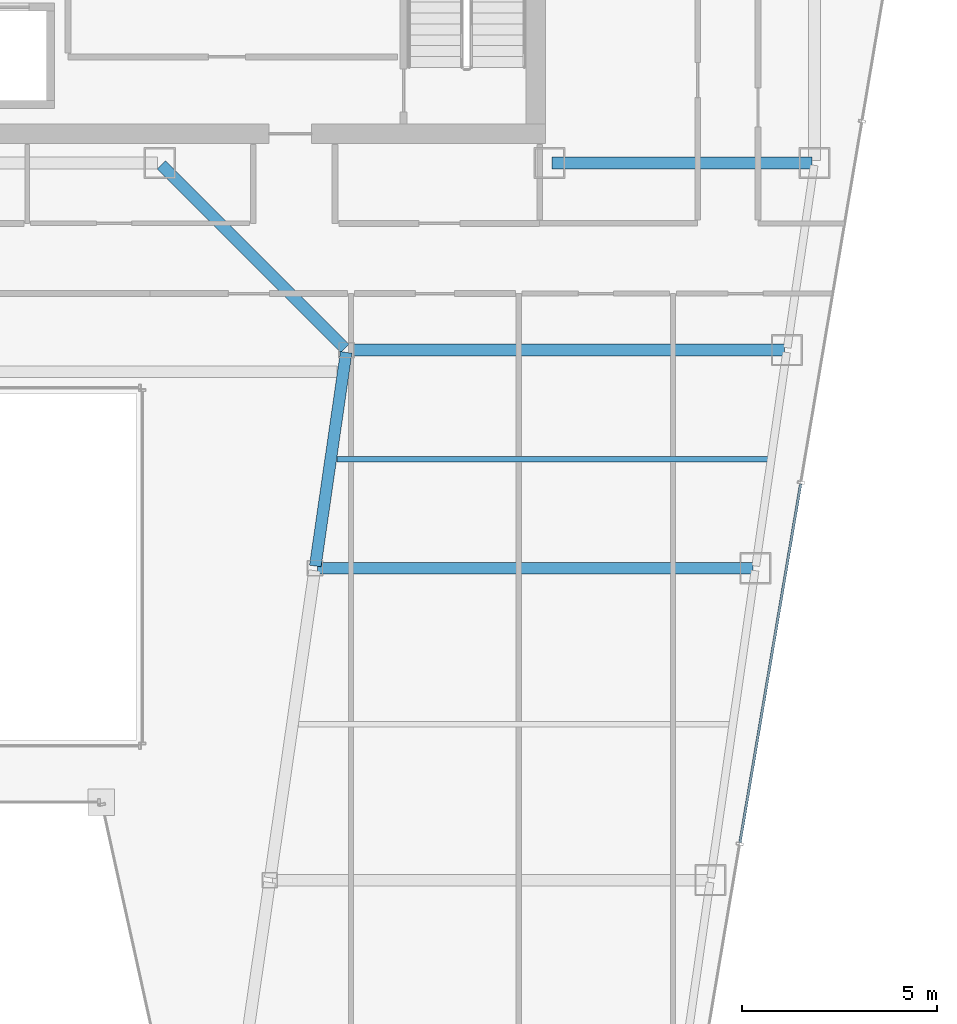
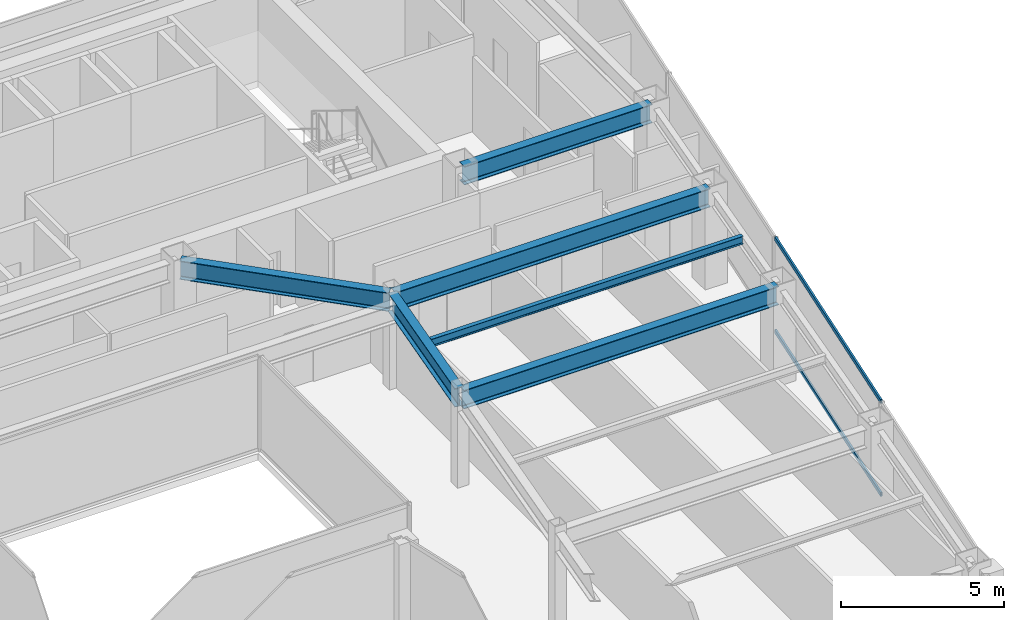
# One storey, part 21 of 36: 6 beams, 2 members, 1 element without a shape of its own.
"""IFC4 building model written with IfcOpenShell, lengths in metres."""

from ifc_helpers import new_model, si_unit, direction, frame, origin, origin_2d, place, context, subcontext, project, spatial, hollow_rectangle, i_section, extrude, material, material_profile, profile_set, type_object, element, aggregate, save


model = new_model("IFC4")

# Units and contexts
model_context = context("Model", 3, precision=1e-05, world=origin(), true_north=direction((0.0, 1.0)))
body_context = subcontext(model_context, "Body", "Model", "MODEL_VIEW")
ifc_project = project(units=[si_unit("LENGTHUNIT", "METRE"), si_unit("AREAUNIT", "SQUARE_METRE"), si_unit("VOLUMEUNIT", "CUBIC_METRE"), si_unit("PLANEANGLEUNIT", "RADIAN"), si_unit("MASSUNIT", "GRAM", prefix="KILO")], contexts=[model_context])

# Site, building, storey
site_placement = place(None, origin())
site = spatial("IfcSite", under=ifc_project, at=site_placement, CompositionType="ELEMENT")
building_placement = place(site_placement, origin())
building = spatial("IfcBuilding", under=site, at=building_placement, Name="Saevonmaru Cultural Tower", CompositionType="ELEMENT")
storey_placement = place(building_placement, frame((0.0, 0.0, 209.39990234375)))
storey = spatial("IfcBuildingStorey", under=building, at=storey_placement, Name="L48", CompositionType="ELEMENT", Elevation=209.39990234375)

# Beams
ifc_material_1 = material(Name="Steel SM355", Category="steel")
ifc_material_profile_1 = material_profile(ifc_material_1, i_section(OverallWidth=0.300048828125, OverallDepth=0.699951171875, WebThickness=0.012939453125, FlangeThickness=0.02392578125, FilletRadius=0.02587890625, at=origin_2d()), Name="H-700x300x13x24")
ifc_profile_set_1 = profile_set([ifc_material_profile_1], Name="Steel SM355")
beam_type_1 = type_object("IfcBeamType", Name="BM-G-H700", PredefinedType="BEAM", material=ifc_profile_set_1)
beam_1_placement = place(storey_placement, frame((46.4599609375, 42.39990234375, 3.2001953125), z_axis=(1.0, 0.0, 0.0), x_axis=(0.0, 1.0, 0.0)))
element("IfcBeam", 1, at=beam_1_placement, inside=storey, type_object=beam_type_1, Name="L48 Core South Girder 5", PredefinedType="BEAM", context=body_context, shape_type="SweptSolid", body=[
    extrude(i_section(OverallWidth=0.300048828125, OverallDepth=0.699951171875, WebThickness=0.012939453125, FlangeThickness=0.02392578125, FilletRadius=0.02587890625, at=origin_2d()), origin(), (0.0, 0.0, 1.0), 6.679931640625),
])
beam_2_placement = place(storey_placement, frame((40.3916015625, 32.059326171875, 3.2001953125), z_axis=(0.142964121327, 0.989727871697, 0.0), x_axis=(-0.989727871697, 0.142964121327, 0.0)))
element("IfcBeam", 2, at=beam_2_placement, inside=storey, type_object=beam_type_1, Name="L48 East Atrium Girder 3", PredefinedType="BEAM", context=body_context, shape_type="SweptSolid", body=[
    extrude(i_section(OverallWidth=0.300048828125, OverallDepth=0.699951171875, WebThickness=0.012939453125, FlangeThickness=0.02392578125, FilletRadius=0.02587890625, at=origin_2d()), origin(), (0.0, 0.0, 1.0), 5.5380859375),
])
beam_3_placement = place(storey_placement, frame((41.149658203125, 37.642578125, 3.2001953125), z_axis=(-0.706538566564, 0.707674539572, 0.0), x_axis=(-0.707674539572, -0.706538566564, 0.0)))
element("IfcBeam", 3, at=beam_3_placement, inside=storey, type_object=beam_type_1, Name="L48 East Atrium Girder 4", PredefinedType="BEAM", context=body_context, shape_type="SweptSolid", body=[
    extrude(i_section(OverallWidth=0.300048828125, OverallDepth=0.699951171875, WebThickness=0.012939453125, FlangeThickness=0.02392578125, FilletRadius=0.02587890625, at=origin_2d()), origin(), (0.0, 0.0, 1.0), 6.662353515625),
])
for number, where, z_axis, x_axis, name in (
    (4, (40.443115234375, 32.0, 3.2001953125), (1.0, 0.0, 0.0), (0.0, 1.0, 0.0), "L48 East Wing Transverse Girder 3"),
    (5, (41.251953125, 37.60009765625, 3.2001953125), (1.0, 0.0, 0.0), (0.0, 1.0, 0.0), "L48 East Wing Transverse Girder 4"),
):
    element("IfcBeam", number, at=place(storey_placement, frame(where, z_axis=z_axis, x_axis=x_axis)), inside=storey, type_object=beam_type_1, Name=name, PredefinedType="BEAM", context=body_context, shape_type="SweptSolid", body=[
        extrude(i_section(OverallWidth=0.300048828125, OverallDepth=0.699951171875, WebThickness=0.012939453125, FlangeThickness=0.02392578125, FilletRadius=0.02587890625, at=origin_2d()), origin(), (0.0, 0.0, 1.0), 11.179931640625),
    ])
ifc_material_profile_2 = material_profile(ifc_material_1, i_section(OverallWidth=0.14990234375, OverallDepth=0.300048828125, WebThickness=0.006591796875, FlangeThickness=0.009033203125, FilletRadius=0.012939453125, at=origin_2d()), Name="H-300x150x6.5x9")
ifc_profile_set_2 = profile_set([ifc_material_profile_2], Name="Steel SM355")
beam_type_2 = type_object("IfcBeamType", Name="BM-J-H300", PredefinedType="JOIST", material=ifc_profile_set_2)
beam_4_placement = place(storey_placement, frame((40.945556640625, 34.800048828125, 3.400146484375), z_axis=(1.0, 0.0, 0.0), x_axis=(0.0, 1.0, 0.0)))
element("IfcBeam", 6, at=beam_4_placement, inside=storey, type_object=beam_type_2, Name="L48 East Wing Floor Joist 3", PredefinedType="JOIST", context=body_context, shape_type="SweptSolid", body=[
    extrude(i_section(OverallWidth=0.14990234375, OverallDepth=0.300048828125, WebThickness=0.006591796875, FlangeThickness=0.009033203125, FilletRadius=0.012939453125, at=origin_2d()), origin(), (0.0, 0.0, 1.0), 11.08203125),
])

# Curtain wall, members
ifc_material_2 = material(Name="Satin Bronze Anodised Aluminium", Category="aluminium")
curtain_wall_type = type_object("IfcCurtainWallType", Name="CW-TYP-B", PredefinedType="NOTDEFINED", material=ifc_material_2)
curtain_wall_placement = place(storey_placement, origin())
curtain_wall = element("IfcCurtainWall", 7, at=curtain_wall_placement, inside=storey, type_object=curtain_wall_type, Name="L48 Unitised Curtain Wall E8", PredefinedType="NOTDEFINED")
ifc_material_profile_3 = material_profile(ifc_material_2, hollow_rectangle(XDim=0.06494140625, YDim=0.14990234375, WallThickness=0.00390625, at=origin_2d()), Name="ALU-TRAN-150x65x4")
ifc_profile_set_3 = profile_set([ifc_material_profile_3], Name="Satin Bronze Anodised Aluminium")
member_type = type_object("IfcMemberType", Name="TR-CW-150x65", PredefinedType="USERDEFINED", material=ifc_profile_set_3)
member_1_placement = place(storey_placement, frame((51.287109375, 24.961669921875, 0.03271484375), z_axis=(0.166921263871, 0.985970228591, 0.0), x_axis=(-0.985970228591, 0.166921263871, 0.0)))
member_1 = element("IfcMember", 8, at=member_1_placement, type_object=member_type, Name="CW-TW-L48-E8 transom 2.1", ObjectType="TRANSOM", PredefinedType="USERDEFINED", context=body_context, shape_type="SweptSolid", body=[
    extrude(hollow_rectangle(XDim=0.06494140625, YDim=0.14990234375, WallThickness=0.00390625, at=origin_2d()), origin(), (0.0, 0.0, 1.0), 9.33740234375),
])
member_2_placement = place(storey_placement, frame((51.287109375, 24.961669921875, 3.517578125), z_axis=(0.166921263871, 0.985970228591, 0.0), x_axis=(-0.985970228591, 0.166921263871, 0.0)))
member_2 = element("IfcMember", 9, at=member_2_placement, type_object=member_type, Name="CW-TW-L48-E8 transom 2.2", ObjectType="TRANSOM", PredefinedType="USERDEFINED", context=body_context, shape_type="SweptSolid", body=[
    extrude(hollow_rectangle(XDim=0.06494140625, YDim=0.14990234375, WallThickness=0.00390625, at=origin_2d()), origin(), (0.0, 0.0, 1.0), 9.33740234375),
])
aggregate(curtain_wall, [member_1, member_2])

save(model, "model.ifc")
